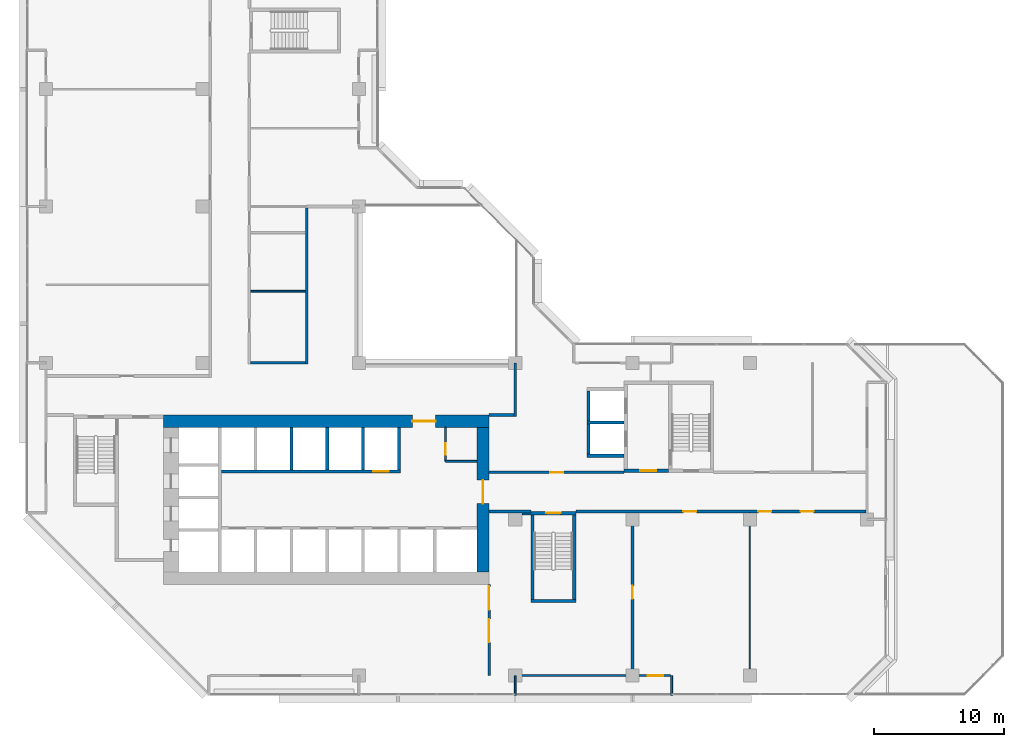
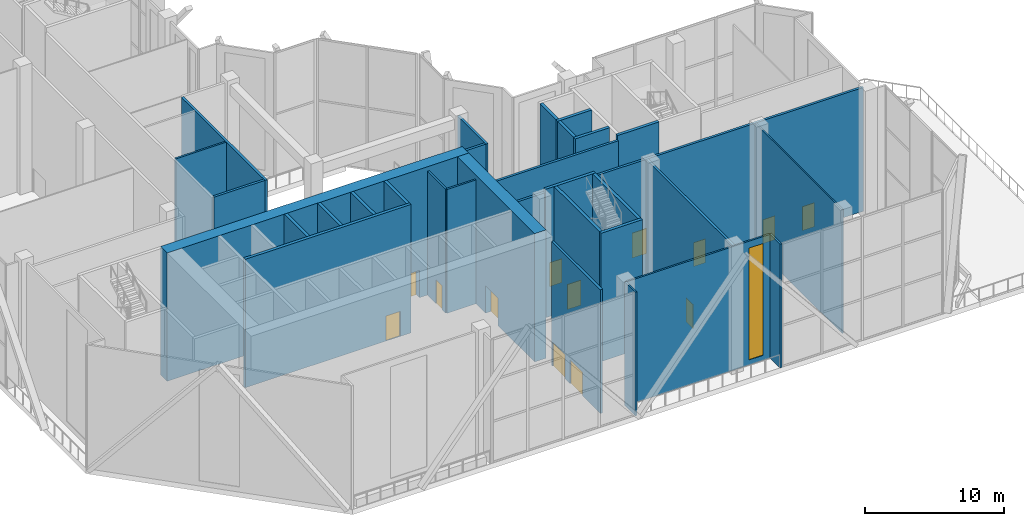
# One storey, part 13 of 21: 32 walls, 13 doors, 1 window, 14 openings.
"""IFC4 building model written with IfcOpenShell, lengths in metres."""

from ifc_helpers import new_model, si_unit, direction, frame, frame_2d, origin, place, context, subcontext, project, spatial, rectangle, extrude, material, layer, layer_set, type_object, element, fill, save


model = new_model("IFC4")

# Units and contexts
model_context = context("Model", 3, precision=1e-05, world=origin(), true_north=direction((0.0, 1.0)))
body_context = subcontext(model_context, "Body", "Model", "MODEL_VIEW")
ifc_project = project(units=[si_unit("LENGTHUNIT", "METRE"), si_unit("AREAUNIT", "SQUARE_METRE"), si_unit("VOLUMEUNIT", "CUBIC_METRE"), si_unit("PLANEANGLEUNIT", "RADIAN"), si_unit("MASSUNIT", "GRAM", prefix="KILO")], contexts=[model_context])

# Site, building, storey
site_placement = place(None, origin())
site = spatial("IfcSite", under=ifc_project, at=site_placement, CompositionType="ELEMENT")
building_placement = place(site_placement, origin())
building = spatial("IfcBuilding", under=site, at=building_placement, Name="Chenar Terraces", CompositionType="ELEMENT")
storey_placement = place(building_placement, frame((0.0, 0.0, 146.14990234375)))
storey = spatial("IfcBuildingStorey", under=building, at=storey_placement, Name="L34", CompositionType="ELEMENT", Elevation=146.14990234375)

# Wall, opening, door
ifc_material_1 = material(Name="Gypsum board on steel studs", Category="steel")
ifc_layer_1 = layer(ifc_material_1, 0.14990234375)
ifc_layer_set_1 = layer_set([ifc_layer_1], Name="Gypsum board on steel studs")
wall_type_1 = type_object("IfcWallType", Name="Core partition 150 gypsum board", PredefinedType="PARTITIONING", material=ifc_layer_set_1)
wall_1_placement = place(storey_placement, frame((30.64990234375, 16.449951171875, 0.0), z_axis=(0.0, 0.0, 1.0), x_axis=(0.0, 1.0, 0.0)))
wall_1 = element("IfcWall", 1, at=wall_1_placement, inside=storey, type_object=wall_type_1, Name="Core partition CP1 vestibule room west wall", PredefinedType="PARTITIONING", context=body_context, shape_type="SweptSolid", body=[
    extrude(rectangle(XDim=2.60009765625, YDim=0.14990234375, at=frame_2d((1.300048828125, 0.0))), origin(), (0.0, 0.0, 1.0), 10.85009765625),
])
opening_1_placement = place(wall_1_placement, frame((0.5, 0.0, 0.0)))
opening_1 = element("IfcOpeningElement", 2, at=opening_1_placement, cuts=wall_1, Name="Opening DL34-C12", PredefinedType="OPENING", context=body_context, shape_type="SweptSolid", body=[
    extrude(rectangle(XDim=0.89990234375, YDim=2.10009765625, at=frame_2d((0.449951171875, 1.050048828125))), frame((0.0, 0.0849609375, 0.0), z_axis=(0.0, -1.0, 0.0), x_axis=(1.0, 0.0, 0.0)), (0.0, 0.0, 1.0), 0.169921875),
])
ifc_material_2 = material(Name="Steel-framed fire-resisting door leaf", Category="steel")
door_type_1 = type_object("IfcDoorType", Name="Riser fire door FD60 900 x 2100", OperationType="SINGLE_SWING_LEFT", PredefinedType="DOOR", material=ifc_material_2)
door_1_placement = place(opening_1_placement, frame((0.89990234375, 0.0, 0.0), z_axis=(0.0, 0.0, 1.0), x_axis=(-1.0, 0.0, 0.0)))
door_1 = element("IfcDoor", 3, at=door_1_placement, inside=storey, type_object=door_type_1, Name="Core room door DL34-C12", OperationType="SINGLE_SWING_RIGHT", OverallHeight=2.10009765625, OverallWidth=0.89990234375, PredefinedType="DOOR", context=body_context, shape_type="SweptSolid", body=[
    extrude(rectangle(XDim=0.89990234375, YDim=2.10009765625, at=frame_2d((0.449951171875, 1.050048828125))), frame((0.0, 0.02490234375, 0.0), z_axis=(0.0, -1.0, 0.0), x_axis=(1.0, 0.0, 0.0)), (0.0, 0.0, 1.0), 0.050048828125),
])
fill(opening_1, door_1)

# Wall
wall_2_placement = place(storey_placement, frame((30.64990234375, 16.449951171875, 0.0), z_axis=(0.0, 0.0, 1.0), x_axis=(1.0, 0.0, 0.0)))
element("IfcWall", 4, at=wall_2_placement, inside=storey, type_object=wall_type_1, Name="Core partition CP1 vestibule room south wall", PredefinedType="PARTITIONING", context=body_context, shape_type="SweptSolid", body=[
    extrude(rectangle(XDim=2.400146484375, YDim=0.14990234375, at=frame_2d((1.2001953125, 0.0))), origin(), (0.0, 0.0, 1.0), 10.85009765625),
])

# Wall, opening, door
ifc_material_3 = material(Name="Concrete C70/85", Category="concrete")
ifc_layer_2 = layer(ifc_material_3, 0.25)
ifc_layer_set_2 = layer_set([ifc_layer_2], Name="Concrete C70/85")
wall_type_2 = type_object("IfcWallType", Name="Core wall 250 Concrete C70/85", PredefinedType="SHEAR", material=ifc_layer_set_2)
wall_3_placement = place(storey_placement, frame((13.449951171875, 15.675048828125, 0.0), z_axis=(0.0, 0.0, 1.0), x_axis=(1.0, 0.0, 0.0)))
wall_3 = element("IfcWall", 5, at=wall_3_placement, inside=storey, type_object=wall_type_2, Name="Core wall NF L34", PredefinedType="SHEAR", context=body_context, shape_type="SweptSolid", body=[
    extrude(rectangle(XDim=13.75, YDim=0.25, at=frame_2d((6.875, 0.0))), origin(), (0.0, 0.0, 1.0), 11.25),
])
opening_2_placement = place(wall_3_placement, frame((11.64990234375, 0.0, 0.0)))
opening_2 = element("IfcOpeningElement", 6, at=opening_2_placement, cuts=wall_3, Name="Opening DL34-LD8", PredefinedType="OPENING", context=body_context, shape_type="SweptSolid", body=[
    extrude(rectangle(XDim=1.199951171875, YDim=2.199951171875, at=frame_2d((0.60009765625, 1.10009765625))), frame((0.0, 0.135009765625, 0.0), z_axis=(0.0, -1.0, 0.0), x_axis=(1.0, 0.0, 0.0)), (0.0, 0.0, 1.0), 0.27001953125),
])
ifc_material_4 = material(Name="Stainless steel", Category="steel")
door_type_2 = type_object("IfcDoorType", Name="Lift landing door 1200 x 2200 sliding", OperationType="DOUBLE_DOOR_SLIDING", PredefinedType="DOOR", material=ifc_material_4)
door_2_placement = place(opening_2_placement, origin())
door_2 = element("IfcDoor", 7, at=door_2_placement, inside=storey, type_object=door_type_2, Name="Landing door M4", OperationType="DOUBLE_DOOR_SLIDING", OverallHeight=2.199951171875, OverallWidth=1.199951171875, PredefinedType="DOOR", context=body_context, shape_type="SweptSolid", body=[
    extrude(rectangle(XDim=1.199951171875, YDim=2.199951171875, at=frame_2d((0.60009765625, 1.10009765625))), frame((0.0, 0.02490234375, 0.0), z_axis=(0.0, -1.0, 0.0), x_axis=(1.0, 0.0, 0.0)), (0.0, 0.0, 1.0), 0.050048828125),
])
fill(opening_2, door_2)

# Walls
for number, where, z_axis, x_axis, name in (
    (8, (18.824951171875, 15.800048828125, 0.0), (0.0, 0.0, 1.0), (0.0, 1.0, 0.0), "Core wall NS1 L34"),
    (9, (21.574951171875, 15.800048828125, 0.0), (0.0, 0.0, 1.0), (0.0, 1.0, 0.0), "Core wall NS2 L34"),
    (10, (24.324951171875, 15.800048828125, 0.0), (0.0, 0.0, 1.0), (0.0, 1.0, 0.0), "Core wall NS3 L34"),
    (11, (27.074951171875, 15.800048828125, 0.0), (0.0, 0.0, 1.0), (0.0, 1.0, 0.0), "Core wall NE L34"),
):
    element("IfcWall", number, at=place(storey_placement, frame(where, z_axis=z_axis, x_axis=x_axis)), inside=storey, type_object=wall_type_2, Name=name, PredefinedType="SHEAR", context=body_context, shape_type="SweptSolid", body=[
        extrude(rectangle(XDim=3.25, YDim=0.25, at=frame_2d((1.625, 0.0))), origin(), (0.0, 0.0, 1.0), 11.25),
    ])
wall_4_placement = place(storey_placement, frame((37.199951171875, 5.72509765625, 0.0), z_axis=(0.0, 0.0, 1.0), x_axis=(1.0, 0.0, 0.0)))
element("IfcWall", 12, at=wall_4_placement, inside=storey, type_object=wall_type_2, Name="Core wall ST2_S L34", PredefinedType="SHEAR", context=body_context, shape_type="SweptSolid", body=[
    extrude(rectangle(XDim=3.449951171875, YDim=0.25, at=frame_2d((1.72509765625, 0.0))), origin(), (0.0, 0.0, 1.0), 11.25),
])

# Wall, opening, door
wall_5_placement = place(storey_placement, frame((36.5, 12.47509765625, 0.0), z_axis=(0.0, 0.0, 1.0), x_axis=(1.0, 0.0, 0.0)))
wall_5 = element("IfcWall", 13, at=wall_5_placement, inside=storey, type_object=wall_type_2, Name="Core wall ST2_N L34", PredefinedType="SHEAR", context=body_context, shape_type="SweptSolid", body=[
    extrude(rectangle(XDim=4.14990234375, YDim=0.25, at=frame_2d((2.074951171875, 0.0))), origin(), (0.0, 0.0, 1.0), 11.25),
])
opening_3_placement = place(wall_5_placement, frame((1.875, 0.0, 0.0)))
opening_3 = element("IfcOpeningElement", 14, at=opening_3_placement, cuts=wall_5, Name="Opening DL34-C7", PredefinedType="OPENING", context=body_context, shape_type="SweptSolid", body=[
    extrude(rectangle(XDim=1.10009765625, YDim=2.199951171875, at=frame_2d((0.550048828125, 1.10009765625))), frame((0.0, 0.135009765625, 0.0), z_axis=(0.0, -1.0, 0.0), x_axis=(1.0, 0.0, 0.0)), (0.0, 0.0, 1.0), 0.27001953125),
])
ifc_material_5 = material(Name="Steel-framed fire-resisting door leaf", Category="steel")
door_type_3 = type_object("IfcDoorType", Name="Stair fire door FD60 1100 x 2200", OperationType="SINGLE_SWING_LEFT", PredefinedType="DOOR", material=ifc_material_5)
door_3_placement = place(opening_3_placement, frame((1.10009765625, 0.0, 0.0), z_axis=(0.0, 0.0, 1.0), x_axis=(-1.0, 0.0, 0.0)))
door_3 = element("IfcDoor", 15, at=door_3_placement, inside=storey, type_object=door_type_3, Name="Stair door DL34-C7", OperationType="SINGLE_SWING_RIGHT", OverallHeight=2.199951171875, OverallWidth=1.10009765625, PredefinedType="DOOR", context=body_context, shape_type="SweptSolid", body=[
    extrude(rectangle(XDim=1.10009765625, YDim=2.199951171875, at=frame_2d((0.550048828125, 1.10009765625))), frame((0.0, 0.02490234375, 0.0), z_axis=(0.0, -1.0, 0.0), x_axis=(1.0, 0.0, 0.0)), (0.0, 0.0, 1.0), 0.050048828125),
])
fill(opening_3, door_3)

# Walls
for number, where, z_axis, x_axis, name in (
    (16, (37.324951171875, 5.85009765625, 0.0), (0.0, 0.0, 1.0), (0.0, 1.0, 0.0), "Core wall ST2_W L34"),
    (17, (40.52490234375, 5.85009765625, 0.0), (0.0, 0.0, 1.0), (0.0, 1.0, 0.0), "Core wall ST2_E L34"),
):
    element("IfcWall", number, at=place(storey_placement, frame(where, z_axis=z_axis, x_axis=x_axis)), inside=storey, type_object=wall_type_2, Name=name, PredefinedType="SHEAR", context=body_context, shape_type="SweptSolid", body=[
        extrude(rectangle(XDim=6.5, YDim=0.25, at=frame_2d((3.25, 0.0))), origin(), (0.0, 0.0, 1.0), 11.25),
    ])

# Wall, opening, door
wall_6_placement = place(storey_placement, frame((44.35009765625, 15.72509765625, 0.0), z_axis=(0.0, 0.0, 1.0), x_axis=(1.0, 0.0, 0.0)))
wall_6 = element("IfcWall", 18, at=wall_6_placement, inside=storey, type_object=wall_type_2, Name="Core wall F3_LS L34", PredefinedType="SHEAR", context=body_context, shape_type="SweptSolid", body=[
    extrude(rectangle(XDim=3.4248046875, YDim=0.25, at=frame_2d((1.71240234375, 0.0))), origin(), (0.0, 0.0, 1.0), 11.25),
])
opening_4_placement = place(wall_6_placement, frame((1.25, 0.0, 0.0)))
opening_4 = element("IfcOpeningElement", 19, at=opening_4_placement, cuts=wall_6, Name="Opening DL34-C10", PredefinedType="OPENING", context=body_context, shape_type="SweptSolid", body=[
    extrude(rectangle(XDim=1.199951171875, YDim=2.199951171875, at=frame_2d((0.60009765625, 1.10009765625))), frame((0.0, 0.135009765625, 0.0), z_axis=(0.0, -1.0, 0.0), x_axis=(1.0, 0.0, 0.0)), (0.0, 0.0, 1.0), 0.27001953125),
])
ifc_material_6 = material(Name="Steel-framed fire-resisting door leaf", Category="steel")
door_type_4 = type_object("IfcDoorType", Name="Lobby fire door FD60 1200 x 2200", OperationType="SINGLE_SWING_LEFT", PredefinedType="DOOR", material=ifc_material_6)
door_4_placement = place(opening_4_placement, origin())
door_4 = element("IfcDoor", 20, at=door_4_placement, inside=storey, type_object=door_type_4, Name="Core door DL34-C10", OperationType="SINGLE_SWING_RIGHT", OverallHeight=2.199951171875, OverallWidth=1.199951171875, PredefinedType="DOOR", context=body_context, shape_type="SweptSolid", body=[
    extrude(rectangle(XDim=1.199951171875, YDim=2.199951171875, at=frame_2d((0.60009765625, 1.10009765625))), frame((0.0, 0.02490234375, 0.0), z_axis=(0.0, -1.0, 0.0), x_axis=(1.0, 0.0, 0.0)), (0.0, 0.0, 1.0), 0.050048828125),
])
fill(opening_4, door_4)

# Walls
for number, where, z_axis, x_axis, name in (
    (21, (41.5, 16.875, 0.0), (0.0, 0.0, 1.0), (1.0, 0.0, 0.0), "Core wall F3_SS L34"),
    (22, (41.5, 19.425048828125, 0.0), (0.0, 0.0, 1.0), (1.0, 0.0, 0.0), "Core wall F3_SM L34"),
):
    element("IfcWall", number, at=place(storey_placement, frame(where, z_axis=z_axis, x_axis=x_axis)), inside=storey, type_object=wall_type_2, Name=name, PredefinedType="SHEAR", context=body_context, shape_type="SweptSolid", body=[
        extrude(rectangle(XDim=2.85009765625, YDim=0.25, at=frame_2d((1.425048828125, 0.0))), origin(), (0.0, 0.0, 1.0), 11.25),
    ])
for number, where, z_axis, x_axis, name in (
    (23, (41.625, 17.0, 0.0), (0.0, 0.0, 1.0), (0.0, 1.0, 0.0), "Core wall F3_SW L34"),
    (24, (41.625, 19.550048828125, 0.0), (0.0, 0.0, 1.0), (0.0, 1.0, 0.0), "Core wall F4_SW L34"),
):
    element("IfcWall", number, at=place(storey_placement, frame(where, z_axis=z_axis, x_axis=x_axis)), inside=storey, type_object=wall_type_2, Name=name, PredefinedType="SHEAR", context=body_context, shape_type="SweptSolid", body=[
        extrude(rectangle(XDim=2.300048828125, YDim=0.25, at=frame_2d((1.14990234375, 0.0))), origin(), (0.0, 0.0, 1.0), 11.25),
    ])

# Wall, opening, door
ifc_material_7 = material(Name="Concrete C70/85", Category="concrete")
ifc_layer_3 = layer(ifc_material_7, 0.949951171875)
ifc_layer_set_3 = layer_set([ifc_layer_3], Name="Concrete C70/85")
wall_type_3 = type_object("IfcWallType", Name="Core wall 950 Concrete C70/85", PredefinedType="SHEAR", material=ifc_layer_set_3)
wall_7_placement = place(storey_placement, frame((9.0, 19.52490234375, 0.0), z_axis=(0.0, 0.0, 1.0), x_axis=(1.0, 0.0, 0.0)))
wall_7 = element("IfcWall", 25, at=wall_7_placement, inside=storey, type_object=wall_type_3, Name="Core wall N L34", PredefinedType="SHEAR", context=body_context, shape_type="SweptSolid", body=[
    extrude(rectangle(XDim=25.0, YDim=0.949951171875, at=frame_2d((12.5, 0.0))), origin(), (0.0, 0.0, 1.0), 11.25),
])
opening_5_placement = place(wall_7_placement, frame((19.10009765625, 0.0, 0.0)))
opening_5 = element("IfcOpeningElement", 26, at=opening_5_placement, cuts=wall_7, Name="Opening DL34-C2", PredefinedType="OPENING", context=body_context, shape_type="SweptSolid", body=[
    extrude(rectangle(XDim=1.800048828125, YDim=2.39990234375, at=frame_2d((0.89990234375, 1.199951171875))), frame((0.0, 0.48486328125, 0.0), z_axis=(0.0, -1.0, 0.0), x_axis=(1.0, 0.0, 0.0)), (0.0, 0.0, 1.0), 0.969970703125),
])
ifc_material_8 = material(Name="Steel-framed fire-resisting door leaf", Category="steel")
door_type_5 = type_object("IfcDoorType", Name="Core entrance double fire door FD60 1800 x 2400", OperationType="DOUBLE_DOOR_SINGLE_SWING", PredefinedType="DOOR", material=ifc_material_8)
door_5_placement = place(opening_5_placement, frame((1.800048828125, 0.0, 0.0), z_axis=(0.0, 0.0, 1.0), x_axis=(-1.0, 0.0, 0.0)))
door_5 = element("IfcDoor", 27, at=door_5_placement, inside=storey, type_object=door_type_5, Name="Core door DL34-C2", OperationType="DOUBLE_DOOR_SINGLE_SWING", OverallHeight=2.39990234375, OverallWidth=1.800048828125, PredefinedType="DOOR", context=body_context, shape_type="SweptSolid", body=[
    extrude(rectangle(XDim=1.800048828125, YDim=2.39990234375, at=frame_2d((0.89990234375, 1.199951171875))), frame((0.0, 0.02490234375, 0.0), z_axis=(0.0, -1.0, 0.0), x_axis=(1.0, 0.0, 0.0)), (0.0, 0.0, 1.0), 0.050048828125),
])
fill(opening_5, door_5)

wall_8_placement = place(storey_placement, frame((33.52490234375, 7.949951171875, 0.0), z_axis=(0.0, 0.0, 1.0), x_axis=(0.0, 1.0, 0.0)))
wall_8 = element("IfcWall", 28, at=wall_8_placement, inside=storey, type_object=wall_type_3, Name="Core wall E L34", PredefinedType="SHEAR", context=body_context, shape_type="SweptSolid", body=[
    extrude(rectangle(XDim=11.10009765625, YDim=0.949951171875, at=frame_2d((5.550048828125, 0.0))), origin(), (0.0, 0.0, 1.0), 11.25),
])
opening_6_placement = place(wall_8_placement, frame((5.25, 0.0, 0.0)))
opening_6 = element("IfcOpeningElement", 29, at=opening_6_placement, cuts=wall_8, Name="Opening DL34-C1", PredefinedType="OPENING", context=body_context, shape_type="SweptSolid", body=[
    extrude(rectangle(XDim=1.800048828125, YDim=2.39990234375, at=frame_2d((0.89990234375, 1.199951171875))), frame((0.0, 0.48486328125, 0.0), z_axis=(0.0, -1.0, 0.0), x_axis=(1.0, 0.0, 0.0)), (0.0, 0.0, 1.0), 0.969970703125),
])
door_6_placement = place(opening_6_placement, origin())
door_6 = element("IfcDoor", 30, at=door_6_placement, inside=storey, type_object=door_type_5, Name="Core door DL34-C1", OperationType="DOUBLE_DOOR_SINGLE_SWING", OverallHeight=2.39990234375, OverallWidth=1.800048828125, PredefinedType="DOOR", context=body_context, shape_type="SweptSolid", body=[
    extrude(rectangle(XDim=1.800048828125, YDim=2.39990234375, at=frame_2d((0.89990234375, 1.199951171875))), frame((0.0, 0.02490234375, 0.0), z_axis=(0.0, -1.0, 0.0), x_axis=(1.0, 0.0, 0.0)), (0.0, 0.0, 1.0), 0.050048828125),
])
fill(opening_6, door_6)

# Walls
ifc_material_9 = material(Name="Gypsum board on steel studs with fire boards", Category="steel")
ifc_layer_4 = layer(ifc_material_9, 0.199951171875)
ifc_layer_set_4 = layer_set([ifc_layer_4], Name="Gypsum board on steel studs with fire boards")
wall_type_4 = type_object("IfcWallType", Name="Corridor wall 200", PredefinedType="PARTITIONING", material=ifc_layer_set_4)
wall_9_placement = place(storey_placement, frame((15.699951171875, 24.0, 0.0), z_axis=(0.0, 0.0, 1.0), x_axis=(1.0, 0.0, 0.0)))
element("IfcWall", 31, at=wall_9_placement, inside=storey, type_object=wall_type_4, Name="Partition L34-009", PredefinedType="PARTITIONING", context=body_context, shape_type="SweptSolid", body=[
    extrude(rectangle(XDim=4.199951171875, YDim=0.199951171875, at=frame_2d((2.10009765625, 0.0))), origin(), (0.0, 0.0, 1.0), 10.85009765625),
])
wall_10_placement = place(storey_placement, frame((20.0, 23.89990234375, 0.0), z_axis=(0.0, 0.0, 1.0), x_axis=(0.0, 1.0, 0.0)))
element("IfcWall", 32, at=wall_10_placement, inside=storey, type_object=wall_type_4, Name="Partition L34-015", PredefinedType="PARTITIONING", context=body_context, shape_type="SweptSolid", body=[
    extrude(rectangle(XDim=12.0, YDim=0.199951171875, at=frame_2d((6.0, 0.0))), origin(), (0.0, 0.0, 1.0), 10.85009765625),
])

# Wall, openings, doors
wall_11_placement = place(storey_placement, frame((34.0, 0.0, 0.0), z_axis=(0.0, 0.0, 1.0), x_axis=(0.0, 1.0, 0.0)))
wall_11 = element("IfcWall", 33, at=wall_11_placement, inside=storey, type_object=wall_type_4, Name="Partition L34-017", PredefinedType="PARTITIONING", context=body_context, shape_type="SweptSolid", body=[
    extrude(rectangle(XDim=7.0, YDim=0.199951171875, at=frame_2d((3.5, 0.0))), origin(), (0.0, 0.0, 1.0), 10.85009765625),
])
opening_7_placement = place(wall_11_placement, frame((2.550048828125, 0.0, 0.0)))
opening_7 = element("IfcOpeningElement", 34, at=opening_7_placement, cuts=wall_11, Name="Opening DL34-18", PredefinedType="OPENING", context=body_context, shape_type="SweptSolid", body=[
    extrude(rectangle(XDim=1.800048828125, YDim=2.10009765625, at=frame_2d((0.89990234375, 1.050048828125))), frame((0.0, 0.10986328125, 0.0), z_axis=(0.0, -1.0, 0.0), x_axis=(1.0, 0.0, 0.0)), (0.0, 0.0, 1.0), 0.219970703125),
])
opening_8_placement = place(wall_11_placement, frame((5.050048828125, 0.0, 0.0)))
opening_8 = element("IfcOpeningElement", 35, at=opening_8_placement, cuts=wall_11, Name="Opening DL34-19", PredefinedType="OPENING", context=body_context, shape_type="SweptSolid", body=[
    extrude(rectangle(XDim=1.800048828125, YDim=2.10009765625, at=frame_2d((0.89990234375, 1.050048828125))), frame((0.0, 0.10986328125, 0.0), z_axis=(0.0, -1.0, 0.0), x_axis=(1.0, 0.0, 0.0)), (0.0, 0.0, 1.0), 0.219970703125),
])
ifc_material_10 = material(Name="Steel-framed fire-resisting door leaf", Category="steel")
door_type_6 = type_object("IfcDoorType", Name="Fire double door FD60 1800 x 2100", OperationType="DOUBLE_DOOR_SINGLE_SWING", PredefinedType="DOOR", material=ifc_material_10)
door_7_placement = place(opening_7_placement, frame((1.800048828125, 0.0, 0.0), z_axis=(0.0, 0.0, 1.0), x_axis=(-1.0, 0.0, 0.0)))
door_7 = element("IfcDoor", 36, at=door_7_placement, inside=storey, type_object=door_type_6, Name="Door DL34-18", OperationType="DOUBLE_DOOR_SINGLE_SWING", OverallHeight=2.10009765625, OverallWidth=1.800048828125, PredefinedType="DOOR", context=body_context, shape_type="SweptSolid", body=[
    extrude(rectangle(XDim=1.800048828125, YDim=2.10009765625, at=frame_2d((0.89990234375, 1.050048828125))), frame((0.0, 0.02490234375, 0.0), z_axis=(0.0, -1.0, 0.0), x_axis=(1.0, 0.0, 0.0)), (0.0, 0.0, 1.0), 0.050048828125),
])
fill(opening_7, door_7)
door_8_placement = place(opening_8_placement, frame((1.800048828125, 0.0, 0.0), z_axis=(0.0, 0.0, 1.0), x_axis=(-1.0, 0.0, 0.0)))
door_8 = element("IfcDoor", 37, at=door_8_placement, inside=storey, type_object=door_type_6, Name="Door DL34-19", OperationType="DOUBLE_DOOR_SINGLE_SWING", OverallHeight=2.10009765625, OverallWidth=1.800048828125, PredefinedType="DOOR", context=body_context, shape_type="SweptSolid", body=[
    extrude(rectangle(XDim=1.800048828125, YDim=2.10009765625, at=frame_2d((0.89990234375, 1.050048828125))), frame((0.0, 0.02490234375, 0.0), z_axis=(0.0, -1.0, 0.0), x_axis=(1.0, 0.0, 0.0)), (0.0, 0.0, 1.0), 0.050048828125),
])
fill(opening_8, door_8)

# Wall
wall_12_placement = place(storey_placement, frame((34.0, 12.60009765625, 0.0), z_axis=(0.0, 0.0, 1.0), x_axis=(1.0, 0.0, 0.0)))
element("IfcWall", 38, at=wall_12_placement, inside=storey, type_object=wall_type_4, Name="Partition L34-018", PredefinedType="PARTITIONING", context=body_context, shape_type="SweptSolid", body=[
    extrude(rectangle(XDim=3.199951171875, YDim=0.199951171875, at=frame_2d((1.60009765625, 0.0))), origin(), (0.0, 0.0, 1.0), 10.85009765625),
])

# Wall, opening, door
wall_13_placement = place(storey_placement, frame((34.0, 15.60009765625, 0.0), z_axis=(0.0, 0.0, 1.0), x_axis=(1.0, 0.0, 0.0)))
wall_13 = element("IfcWall", 39, at=wall_13_placement, inside=storey, type_object=wall_type_4, Name="Partition L34-019", PredefinedType="PARTITIONING", context=body_context, shape_type="SweptSolid", body=[
    extrude(rectangle(XDim=10.35009765625, YDim=0.199951171875, at=frame_2d((5.175048828125, 0.0))), origin(), (0.0, 0.0, 1.0), 10.85009765625),
])
opening_9_placement = place(wall_13_placement, frame((4.699951171875, 0.0, 0.0)))
opening_9 = element("IfcOpeningElement", 40, at=opening_9_placement, cuts=wall_13, Name="Opening DL34-1", PredefinedType="OPENING", context=body_context, shape_type="SweptSolid", body=[
    extrude(rectangle(XDim=1.0, YDim=2.10009765625, at=frame_2d((0.5, 1.050048828125))), frame((0.0, 0.10986328125, 0.0), z_axis=(0.0, -1.0, 0.0), x_axis=(1.0, 0.0, 0.0)), (0.0, 0.0, 1.0), 0.219970703125),
])
ifc_material_11 = material(Name="Steel-framed fire-resisting door leaf", Category="steel")
door_type_7 = type_object("IfcDoorType", Name="Fire door FD60 1000 x 2100", OperationType="SINGLE_SWING_LEFT", PredefinedType="DOOR", material=ifc_material_11)
door_9_placement = place(opening_9_placement, origin())
door_9 = element("IfcDoor", 41, at=door_9_placement, inside=storey, type_object=door_type_7, Name="Door DL34-1", OperationType="SINGLE_SWING_LEFT", OverallHeight=2.10009765625, OverallWidth=1.0, PredefinedType="DOOR", context=body_context, shape_type="SweptSolid", body=[
    extrude(rectangle(XDim=1.0, YDim=2.10009765625, at=frame_2d((0.5, 1.050048828125))), frame((0.0, 0.02490234375, 0.0), z_axis=(0.0, -1.0, 0.0), x_axis=(1.0, 0.0, 0.0)), (0.0, 0.0, 1.0), 0.050048828125),
])
fill(opening_9, door_9)

# Walls
wall_14_placement = place(storey_placement, frame((34.0, 20.0, 0.0), z_axis=(0.0, 0.0, 1.0), x_axis=(1.0, 0.0, 0.0)))
element("IfcWall", 42, at=wall_14_placement, inside=storey, type_object=wall_type_4, Name="Partition L34-020", PredefinedType="PARTITIONING", context=body_context, shape_type="SweptSolid", body=[
    extrude(rectangle(XDim=1.89990234375, YDim=0.199951171875, at=frame_2d((0.949951171875, 0.0))), origin(), (0.0, 0.0, 1.0), 10.85009765625),
])
wall_15_placement = place(storey_placement, frame((36.0, 19.89990234375, 0.0), z_axis=(0.0, 0.0, 1.0), x_axis=(0.0, 1.0, 0.0)))
element("IfcWall", 43, at=wall_15_placement, inside=storey, type_object=wall_type_4, Name="Partition L34-021", PredefinedType="PARTITIONING", context=body_context, shape_type="SweptSolid", body=[
    extrude(rectangle(XDim=4.10009765625, YDim=0.199951171875, at=frame_2d((2.050048828125, 0.0))), origin(), (0.0, 0.0, 1.0), 10.85009765625),
])

# Wall, openings, doors
wall_16_placement = place(storey_placement, frame((40.64990234375, 12.60009765625, 0.0), z_axis=(0.0, 0.0, 1.0), x_axis=(1.0, 0.0, 0.0)))
wall_16 = element("IfcWall", 44, at=wall_16_placement, inside=storey, type_object=wall_type_4, Name="Partition L34-022", PredefinedType="PARTITIONING", context=body_context, shape_type="SweptSolid", body=[
    extrude(rectangle(XDim=22.276123046875, YDim=0.199951171875, at=frame_2d((11.13818359375, 0.0))), origin(), (0.0, 0.0, 1.0), 10.85009765625),
])
opening_10_placement = place(wall_16_placement, frame((8.25, 0.0, 0.0)))
opening_10 = element("IfcOpeningElement", 45, at=opening_10_placement, cuts=wall_16, Name="Opening DL34-5", PredefinedType="OPENING", context=body_context, shape_type="SweptSolid", body=[
    extrude(rectangle(XDim=1.0, YDim=2.10009765625, at=frame_2d((0.5, 1.050048828125))), frame((0.0, 0.10986328125, 0.0), z_axis=(0.0, -1.0, 0.0), x_axis=(1.0, 0.0, 0.0)), (0.0, 0.0, 1.0), 0.219970703125),
])
opening_11_placement = place(wall_16_placement, frame((17.25, 0.0, 0.0)))
opening_11 = element("IfcOpeningElement", 46, at=opening_11_placement, cuts=wall_16, Name="Opening DL34-6", PredefinedType="OPENING", context=body_context, shape_type="SweptSolid", body=[
    extrude(rectangle(XDim=1.0, YDim=2.10009765625, at=frame_2d((0.5, 1.050048828125))), frame((0.0, 0.10986328125, 0.0), z_axis=(0.0, -1.0, 0.0), x_axis=(1.0, 0.0, 0.0)), (0.0, 0.0, 1.0), 0.219970703125),
])
opening_12_placement = place(wall_16_placement, frame((14.0, 0.0, 0.0)))
opening_12 = element("IfcOpeningElement", 47, at=opening_12_placement, cuts=wall_16, Name="Opening DL34-7", PredefinedType="OPENING", context=body_context, shape_type="SweptSolid", body=[
    extrude(rectangle(XDim=1.0, YDim=2.10009765625, at=frame_2d((0.5, 1.050048828125))), frame((0.0, 0.10986328125, 0.0), z_axis=(0.0, -1.0, 0.0), x_axis=(1.0, 0.0, 0.0)), (0.0, 0.0, 1.0), 0.219970703125),
])
door_10_placement = place(opening_10_placement, origin())
door_10 = element("IfcDoor", 48, at=door_10_placement, inside=storey, type_object=door_type_7, Name="Door DL34-5", OperationType="SINGLE_SWING_RIGHT", OverallHeight=2.10009765625, OverallWidth=1.0, PredefinedType="DOOR", context=body_context, shape_type="SweptSolid", body=[
    extrude(rectangle(XDim=1.0, YDim=2.10009765625, at=frame_2d((0.5, 1.050048828125))), frame((0.0, 0.02490234375, 0.0), z_axis=(0.0, -1.0, 0.0), x_axis=(1.0, 0.0, 0.0)), (0.0, 0.0, 1.0), 0.050048828125),
])
fill(opening_10, door_10)
door_11_placement = place(opening_11_placement, origin())
door_11 = element("IfcDoor", 49, at=door_11_placement, inside=storey, type_object=door_type_7, Name="Door DL34-6", OperationType="SINGLE_SWING_RIGHT", OverallHeight=2.10009765625, OverallWidth=1.0, PredefinedType="DOOR", context=body_context, shape_type="SweptSolid", body=[
    extrude(rectangle(XDim=1.0, YDim=2.10009765625, at=frame_2d((0.5, 1.050048828125))), frame((0.0, 0.02490234375, 0.0), z_axis=(0.0, -1.0, 0.0), x_axis=(1.0, 0.0, 0.0)), (0.0, 0.0, 1.0), 0.050048828125),
])
fill(opening_11, door_11)
door_12_placement = place(opening_12_placement, origin())
door_12 = element("IfcDoor", 50, at=door_12_placement, inside=storey, type_object=door_type_7, Name="Door DL34-7", OperationType="SINGLE_SWING_RIGHT", OverallHeight=2.10009765625, OverallWidth=1.0, PredefinedType="DOOR", context=body_context, shape_type="SweptSolid", body=[
    extrude(rectangle(XDim=1.0, YDim=2.10009765625, at=frame_2d((0.5, 1.050048828125))), frame((0.0, 0.02490234375, 0.0), z_axis=(0.0, -1.0, 0.0), x_axis=(1.0, 0.0, 0.0)), (0.0, 0.0, 1.0), 0.050048828125),
])
fill(opening_12, door_12)

# Wall, opening, door
wall_17_placement = place(storey_placement, frame((45.0, 0.073974609375, 0.0), z_axis=(0.0, 0.0, 1.0), x_axis=(0.0, 1.0, 0.0)))
wall_17 = element("IfcWall", 51, at=wall_17_placement, inside=storey, type_object=wall_type_4, Name="Partition L34-023", PredefinedType="PARTITIONING", context=body_context, shape_type="SweptSolid", body=[
    extrude(rectangle(XDim=12.426025390625, YDim=0.199951171875, at=frame_2d((6.212890625, 0.0))), origin(), (0.0, 0.0, 1.0), 10.85009765625),
])
opening_13_placement = place(wall_17_placement, frame((5.825927734375, 0.0, 0.0)))
opening_13 = element("IfcOpeningElement", 52, at=opening_13_placement, cuts=wall_17, Name="Opening DL34-4", PredefinedType="OPENING", context=body_context, shape_type="SweptSolid", body=[
    extrude(rectangle(XDim=1.0, YDim=2.10009765625, at=frame_2d((0.5, 1.050048828125))), frame((0.0, 0.10986328125, 0.0), z_axis=(0.0, -1.0, 0.0), x_axis=(1.0, 0.0, 0.0)), (0.0, 0.0, 1.0), 0.219970703125),
])
door_13_placement = place(opening_13_placement, origin())
door_13 = element("IfcDoor", 53, at=door_13_placement, inside=storey, type_object=door_type_7, Name="Door DL34-4", OperationType="SINGLE_SWING_RIGHT", OverallHeight=2.10009765625, OverallWidth=1.0, PredefinedType="DOOR", context=body_context, shape_type="SweptSolid", body=[
    extrude(rectangle(XDim=1.0, YDim=2.10009765625, at=frame_2d((0.5, 1.050048828125))), frame((0.0, 0.02490234375, 0.0), z_axis=(0.0, -1.0, 0.0), x_axis=(1.0, 0.0, 0.0)), (0.0, 0.0, 1.0), 0.050048828125),
])
fill(opening_13, door_13)

# Wall, opening, window
ifc_material_12 = material(Name="Aluminium framed glazing", Category="aluminium")
ifc_layer_5 = layer(ifc_material_12, 0.14990234375)
ifc_layer_set_5 = layer_set([ifc_layer_5], Name="Aluminium framed glazing")
wall_type_5 = type_object("IfcWallType", Name="Glazed loggia back wall 150", PredefinedType="SOLIDWALL", material=ifc_layer_set_5)
wall_18_placement = place(storey_placement, frame((36.074951171875, 0.0, 0.0), z_axis=(0.0, 0.0, 1.0), x_axis=(1.0, 0.0, 0.0)))
wall_18 = element("IfcWall", 54, at=wall_18_placement, inside=storey, type_object=wall_type_5, Name="Glazed loggia back wall", PredefinedType="SOLIDWALL", context=body_context, shape_type="SweptSolid", body=[
    extrude(rectangle(XDim=11.85009765625, YDim=0.14990234375, at=frame_2d((5.925048828125, 0.0))), origin(), (0.0, 0.0, 1.0), 10.85009765625),
])
opening_14_placement = place(wall_18_placement, frame((10.08740234375, 0.0, 0.449951171875)))
opening_14 = element("IfcOpeningElement", 55, at=opening_14_placement, cuts=wall_18, Name="Opening W120x980", PredefinedType="OPENING", context=body_context, shape_type="SweptSolid", body=[
    extrude(rectangle(XDim=1.199951171875, YDim=9.800048828125, at=frame_2d((0.60009765625, 4.89990234375))), frame((0.0, 0.0849609375, 0.0), z_axis=(0.0, -1.0, 0.0), x_axis=(1.0, 0.0, 0.0)), (0.0, 0.0, 1.0), 0.169921875),
])
ifc_material_13 = material(Name="Low emissivity double glazing, aluminium frame", Category="aluminium")
window_type = type_object("IfcWindowType", Name="Fixed light 1200 x 9800", PartitioningType="SINGLE_PANEL", PredefinedType="WINDOW", material=ifc_material_13)
window_placement = place(opening_14_placement, origin())
window = element("IfcWindow", 56, at=window_placement, inside=storey, type_object=window_type, Name="Window", OverallHeight=9.800048828125, OverallWidth=1.199951171875, PartitioningType="SINGLE_PANEL", PredefinedType="WINDOW", context=body_context, shape_type="SweptSolid", body=[
    extrude(rectangle(XDim=1.199951171875, YDim=9.800048828125, at=frame_2d((0.60009765625, 4.89990234375))), frame((0.0, 0.030029296875, 0.0), z_axis=(0.0, -1.0, 0.0), x_axis=(1.0, 0.0, 0.0)), (0.0, 0.0, 1.0), 0.06005859375),
])
fill(opening_14, window)

# Walls
ifc_material_14 = material(Name="Gypsum board on steel studs", Category="steel")
ifc_layer_6 = layer(ifc_material_14, 0.10009765625)
ifc_layer_set_6 = layer_set([ifc_layer_6], Name="Gypsum board on steel studs")
wall_type_6 = type_object("IfcWallType", Name="Gypsum partition 100", PredefinedType="PARTITIONING", material=ifc_layer_set_6)
wall_19_placement = place(storey_placement, frame((54.0, 0.0, 0.0), z_axis=(0.0, 0.0, 1.0), x_axis=(0.0, 1.0, 0.0)))
element("IfcWall", 57, at=wall_19_placement, inside=storey, type_object=wall_type_6, Name="Partition L34-026", PredefinedType="PARTITIONING", context=body_context, shape_type="SweptSolid", body=[
    extrude(rectangle(XDim=12.5, YDim=0.10009765625, at=frame_2d((6.25, 0.0))), origin(), (0.0, 0.0, 1.0), 10.85009765625),
])
ifc_material_15 = material(Name="Terracotta cladding on insulated backing", Category="masonry")
ifc_layer_7 = layer(ifc_material_15, 0.14990234375)
ifc_layer_set_7 = layer_set([ifc_layer_7], Name="Terracotta cladding on insulated backing")
wall_type_7 = type_object("IfcWallType", Name="Loggia return wall 150", PredefinedType="SOLIDWALL", material=ifc_layer_set_7)
for number, where, z_axis, x_axis, name in (
    (58, (36.0, -1.5, 0.0), (0.0, 0.0, 1.0), (0.0, 1.0, 0.0), "Loggia return wall"),
    (59, (48.0, -1.5, 0.0), (0.0, 0.0, 1.0), (0.0, 1.0, 0.0), "Loggia return wall"),
):
    element("IfcWall", number, at=place(storey_placement, frame(where, z_axis=z_axis, x_axis=x_axis)), inside=storey, type_object=wall_type_7, Name=name, PredefinedType="SOLIDWALL", context=body_context, shape_type="SweptSolid", body=[
        extrude(rectangle(XDim=1.5, YDim=0.14990234375, at=frame_2d((0.75, 0.0))), origin(), (0.0, 0.0, 1.0), 10.85009765625),
    ])
ifc_material_16 = material(Name="Moisture-resistant gypsum board on steel studs", Category="steel")
ifc_layer_8 = layer(ifc_material_16, 0.14990234375)
ifc_layer_set_8 = layer_set([ifc_layer_8], Name="Moisture-resistant gypsum board on steel studs")
wall_type_8 = type_object("IfcWallType", Name="Wet-room partition 150", PredefinedType="PARTITIONING", material=ifc_layer_set_8)
wall_20_placement = place(storey_placement, frame((15.699951171875, 29.5, 0.0), z_axis=(0.0, 0.0, 1.0), x_axis=(1.0, 0.0, 0.0)))
element("IfcWall", 60, at=wall_20_placement, inside=storey, type_object=wall_type_8, Name="Partition L34-010", PredefinedType="PARTITIONING", context=body_context, shape_type="SweptSolid", body=[
    extrude(rectangle(XDim=4.199951171875, YDim=0.14990234375, at=frame_2d((2.10009765625, 0.0))), origin(), (0.0, 0.0, 1.0), 10.85009765625),
])

save(model, "model.ifc")
